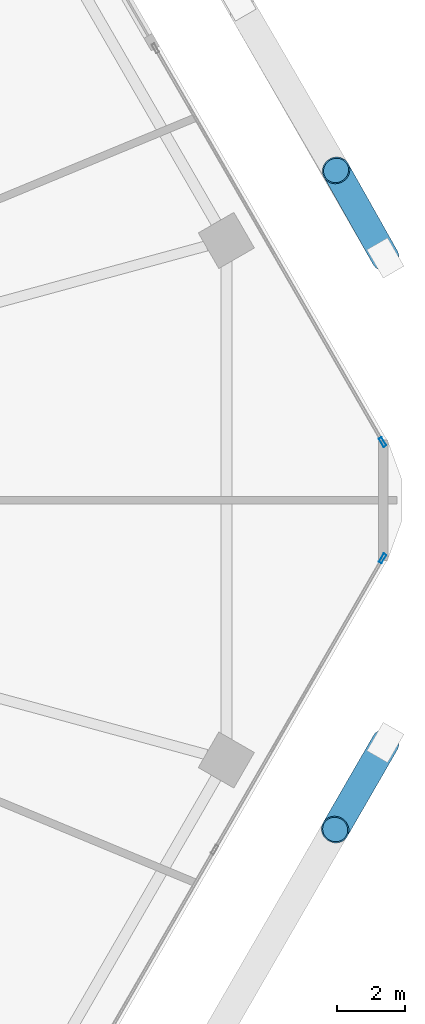
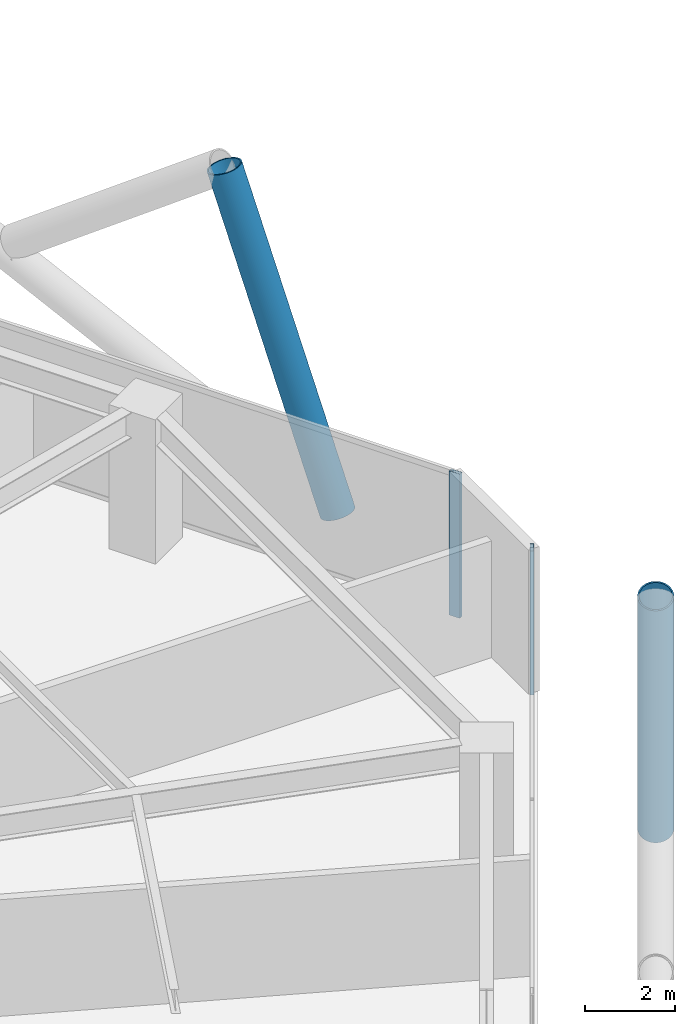
# One storey, part 23 of 28: 4 members, 2 elements without a shape of their own.
"""IFC4 building model written with IfcOpenShell, lengths in metres."""

from ifc_helpers import new_model, si_unit, direction, frame, origin, origin_2d, place, context, subcontext, project, spatial, hollow_rectangle, hollow_circle, extrude, material, material_profile, profile_set, type_object, element, aggregate, save


model = new_model("IFC4")

# Units and contexts
model_context = context("Model", 3, precision=1e-05, world=origin(), true_north=direction((0.0, 1.0)))
body_context = subcontext(model_context, "Body", "Model", "MODEL_VIEW")
ifc_project = project(units=[si_unit("LENGTHUNIT", "METRE"), si_unit("AREAUNIT", "SQUARE_METRE"), si_unit("VOLUMEUNIT", "CUBIC_METRE"), si_unit("PLANEANGLEUNIT", "RADIAN"), si_unit("MASSUNIT", "GRAM", prefix="KILO")], contexts=[model_context])

# Site, building, storey
site_placement = place(None, origin())
site = spatial("IfcSite", under=ifc_project, at=site_placement, CompositionType="ELEMENT")
building_placement = place(site_placement, origin())
building = spatial("IfcBuilding", under=site, at=building_placement, Name="Zuhravey Tower", CompositionType="ELEMENT")
storey_placement = place(building_placement, frame((0.0, 0.0, 75.0)))
storey = spatial("IfcBuildingStorey", under=building, at=storey_placement, Name="L18", CompositionType="ELEMENT", Elevation=75.0)

# Curtain wall, member
ifc_material_1 = material(Name="Thermally broken anodised aluminium", Category="aluminium")
curtain_wall_type = type_object("IfcCurtainWallType", Name="School Low-E Unitised Curtain Wall CW1", PredefinedType="NOTDEFINED", material=ifc_material_1)
curtain_wall_1_placement = place(storey_placement, origin())
curtain_wall_1 = element("IfcCurtainWall", 1, at=curtain_wall_1_placement, inside=storey, type_object=curtain_wall_type, Name="L18 CW1 CW-L18-F6-1", PredefinedType="NOTDEFINED")
ifc_material_2 = material(Name="Anodised aluminium", Category="aluminium")
ifc_material_profile_1 = material_profile(ifc_material_2, hollow_rectangle(XDim=0.090087890625, YDim=0.284912109375, WallThickness=0.0048828125, at=origin_2d()), Name="ALU-RHS-90x285x5")
ifc_profile_set_1 = profile_set([ifc_material_profile_1], Name="Anodised aluminium")
member_type_1 = type_object("IfcMemberType", Name="Curtain-Wall Mullion 90x180", PredefinedType="MULLION", material=ifc_profile_set_1)
member_1_placement = place(storey_placement, frame((68.4560546875, 30.298583984375, 0.0), z_axis=(0.0, 0.0, 1.0), x_axis=(0.86602552265, -0.499999794119, 0.0)))
member_1 = element("IfcMember", 2, at=member_1_placement, type_object=member_type_1, Name="CW1 mullion 1", PredefinedType="MULLION", context=body_context, shape_type="SweptSolid", body=[
    extrude(hollow_rectangle(XDim=0.090087890625, YDim=0.284912109375, WallThickness=0.0048828125, at=origin_2d()), origin(), (0.0, 0.0, 1.0), 3.919921875),
])
aggregate(curtain_wall_1, [member_1])

curtain_wall_2_placement = place(storey_placement, origin())
curtain_wall_2 = element("IfcCurtainWall", 3, at=curtain_wall_2_placement, inside=storey, type_object=curtain_wall_type, Name="L18 CW1 CW-L18-F1-2", PredefinedType="NOTDEFINED")
member_2_placement = place(storey_placement, frame((68.4560546875, 33.701416015625, 0.0), z_axis=(0.0, 0.0, 1.0), x_axis=(0.866024593191, 0.500001403986, 0.0)))
member_2 = element("IfcMember", 4, at=member_2_placement, type_object=member_type_1, Name="CW1 mullion 2", PredefinedType="MULLION", context=body_context, shape_type="SweptSolid", body=[
    extrude(hollow_rectangle(XDim=0.090087890625, YDim=0.284912109375, WallThickness=0.0048828125, at=origin_2d()), origin(), (0.0, 0.0, 1.0), 3.919921875),
])
aggregate(curtain_wall_2, [member_2])

# Members
ifc_material_3 = material(Name="Steel SM460", Category="steel")
ifc_material_profile_2 = material_profile(ifc_material_3, hollow_circle(Radius=0.406494140625, WallThickness=0.035888671875, at=origin_2d()), Name="CHS-812.8x36")
ifc_profile_set_2 = profile_set([ifc_material_profile_2], Name="Steel SM460")
member_type_2 = type_object("IfcMemberType", Name="Exoskeleton Zone 1 Diagrid CHS813x36", PredefinedType="BRACE", material=ifc_profile_set_2)
for number, where, z_axis, x_axis, name in (
    (5, (68.53369140625, 39.087158203125, -0.471923828125), (-0.16241062079, 0.288037579757, 0.943746333981), (-0.871071780124, -0.49115573281, 0.0), "L18 Face 1 Diagrid Brace 1"),
    (6, (68.533447265625, 24.912841796875, -0.471923828125), (-0.165307317227, -0.286358046605, 0.943754501984), (0.866053660865, -0.499951054106, 0.0), "L18 Face 6 Diagrid Brace 4"),
):
    element("IfcMember", number, at=place(storey_placement, frame(where, z_axis=z_axis, x_axis=x_axis)), inside=storey, type_object=member_type_2, Name=name, PredefinedType="BRACE", context=body_context, shape_type="SweptSolid", body=[
        extrude(hollow_circle(Radius=0.406494140625, WallThickness=0.035888671875, at=origin_2d()), origin(), (0.0, 0.0, 1.0), 8.85400390625),
    ])

save(model, "model.ifc")
